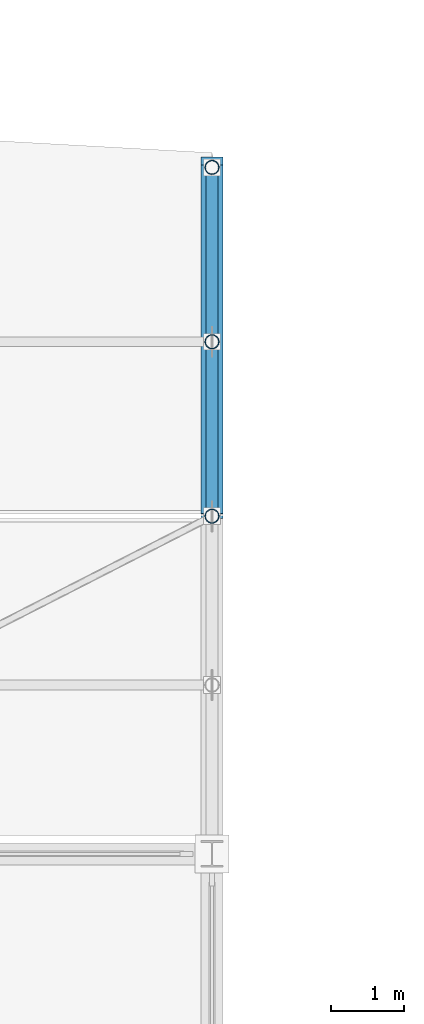
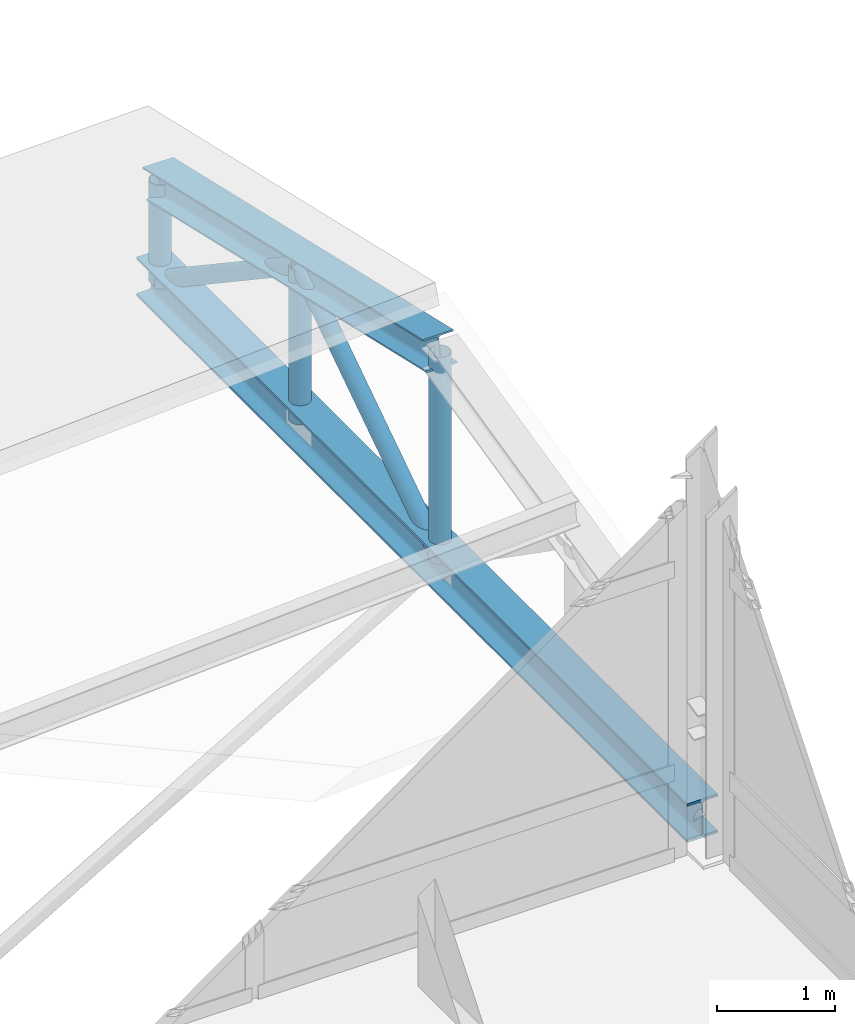
# One storey, part 23 of 55: 6 members, 1 beam.
"""IFC4 building model written with IfcOpenShell, lengths in metres."""

from ifc_helpers import new_model, si_unit, direction, frame, origin, origin_2d, place, context, subcontext, project, spatial, hollow_circle, i_section, extrude, material, material_profile, profile_set, type_object, element, save


model = new_model("IFC4")

# Units and contexts
model_context = context("Model", 3, precision=1e-05, world=origin(), true_north=direction((0.0, 1.0)))
body_context = subcontext(model_context, "Body", "Model", "MODEL_VIEW")
ifc_project = project(units=[si_unit("LENGTHUNIT", "METRE"), si_unit("AREAUNIT", "SQUARE_METRE"), si_unit("VOLUMEUNIT", "CUBIC_METRE"), si_unit("PLANEANGLEUNIT", "RADIAN"), si_unit("MASSUNIT", "GRAM", prefix="KILO")], contexts=[model_context])

# Site, building, storey
site_placement = place(None, origin())
site = spatial("IfcSite", under=ifc_project, at=site_placement, CompositionType="ELEMENT")
building_placement = place(site_placement, origin())
building = spatial("IfcBuilding", under=site, at=building_placement, Name="Bozkorgan Art Gallery", CompositionType="ELEMENT")
storey_placement = place(building_placement, frame((0.0, 0.0, 15.0)))
storey = spatial("IfcBuildingStorey", under=building, at=storey_placement, Name="L03", CompositionType="ELEMENT", Elevation=15.0)

# Beam
ifc_material = material(Name="Steel S355J2", Category="steel")
ifc_material_profile_1 = material_profile(ifc_material, i_section(OverallWidth=0.300048828125, OverallDepth=0.39990234375, WebThickness=0.013427734375, FlangeThickness=0.02392578125, FilletRadius=0.027099609375, at=origin_2d()), Name="HEB 400")
ifc_profile_set_1 = profile_set([ifc_material_profile_1], Name="Steel S355J2")
beam_type = type_object("IfcBeamType", Name="BEAM-TB-49", PredefinedType="BEAM", material=ifc_profile_set_1)
beam_placement = place(storey_placement, frame((101.0, 84.550048828125, 0.199951171875), z_axis=(0.0, 1.0, 0.0), x_axis=(-1.0, 0.0, 0.0)))
element("IfcBeam", 1, at=beam_placement, inside=storey, type_object=beam_type, Name="ROOF-V4-STEP3 roof truss 4 bottom chord", PredefinedType="BEAM", context=body_context, shape_type="SweptSolid", body=[
    extrude(i_section(OverallWidth=0.300048828125, OverallDepth=0.39990234375, WebThickness=0.013427734375, FlangeThickness=0.02392578125, FilletRadius=0.027099609375, at=origin_2d()), origin(), (0.0, 0.0, 1.0), 9.33984375),
])

# Members
ifc_material_profile_2 = material_profile(ifc_material, i_section(OverallWidth=0.300048828125, OverallDepth=0.31005859375, WebThickness=0.009033203125, FlangeThickness=0.015380859375, FilletRadius=0.027099609375, at=origin_2d()), Name="HEA 320")
ifc_profile_set_2 = profile_set([ifc_material_profile_2], Name="Steel S355J2")
member_type_1 = type_object("IfcMemberType", Name="MEMBER-TC-13", PredefinedType="CHORD", material=ifc_profile_set_2)
member_1_placement = place(storey_placement, frame((101.0, 89.0, 2.33740234375), z_axis=(0.0, 0.974367556786, -0.224961917408), x_axis=(-1.0, 0.0, 0.0)))
element("IfcMember", 2, at=member_1_placement, inside=storey, type_object=member_type_1, Name="ROOF-V4-STEP3 roof truss 4 north top chord", PredefinedType="CHORD", context=body_context, shape_type="SweptSolid", body=[
    extrude(i_section(OverallWidth=0.300048828125, OverallDepth=0.31005859375, WebThickness=0.009033203125, FlangeThickness=0.015380859375, FilletRadius=0.027099609375, at=origin_2d()), origin(), (0.0, 0.0, 1.0), 4.875),
])
ifc_material_profile_3 = material_profile(ifc_material, hollow_circle(Radius=0.096923828125, WallThickness=0.008056640625, at=origin_2d()), Name="CHS 193.7x8")
ifc_profile_set_3 = profile_set([ifc_material_profile_3], Name="Steel S355J2")
member_type_2 = type_object("IfcMemberType", Name="MEMBER-TP-46", PredefinedType="POST", material=ifc_profile_set_3)
member_2_placement = place(storey_placement, frame((101.0, 89.0, 0.199951171875), z_axis=(0.0, 0.0, 1.0), x_axis=(1.0, 0.0, 0.0)))
element("IfcMember", 3, at=member_2_placement, inside=storey, type_object=member_type_2, Name="ROOF-V4-STEP3 roof truss 4 post 2", PredefinedType="POST", context=body_context, shape_type="SweptSolid", body=[
    extrude(hollow_circle(Radius=0.096923828125, WallThickness=0.008056640625, at=origin_2d()), origin(), (0.0, 0.0, 1.0), 2.137451171875),
])
member_3_placement = place(storey_placement, frame((101.0, 91.375, 0.199951171875), z_axis=(0.0, 0.0, 1.0), x_axis=(1.0, 0.0, 0.0)))
element("IfcMember", 4, at=member_3_placement, inside=storey, type_object=member_type_2, Name="ROOF-V4-STEP3 roof truss 4 post 3", PredefinedType="POST", context=body_context, shape_type="SweptSolid", body=[
    extrude(hollow_circle(Radius=0.096923828125, WallThickness=0.008056640625, at=origin_2d()), origin(), (0.0, 0.0, 1.0), 1.589111328125),
])
member_4_placement = place(storey_placement, frame((101.0, 93.75, 0.199951171875), z_axis=(0.0, 0.0, 1.0), x_axis=(1.0, 0.0, 0.0)))
element("IfcMember", 5, at=member_4_placement, inside=storey, type_object=member_type_2, Name="ROOF-V4-STEP3 roof truss 4 post 4", PredefinedType="POST", context=body_context, shape_type="SweptSolid", body=[
    extrude(hollow_circle(Radius=0.096923828125, WallThickness=0.008056640625, at=origin_2d()), origin(), (0.0, 0.0, 1.0), 1.040771484375),
])
ifc_material_profile_4 = material_profile(ifc_material, hollow_circle(Radius=0.084228515625, WallThickness=0.008056640625, at=origin_2d()), Name="CHS 168.3x8")
ifc_profile_set_4 = profile_set([ifc_material_profile_4], Name="Steel S355J2")
member_type_3 = type_object("IfcMemberType", Name="MEMBER-TW-40", PredefinedType="BRACE", material=ifc_profile_set_4)
for number, where, z_axis, x_axis, name in (
    (6, (101.0, 89.0, 0.199951171875), (0.0, 0.831115899001, 0.556099237931), (-1.0, 0.0, 0.0), "ROOF-V4-STEP3 roof truss 4 diagonal 3"),
    (7, (101.0, 91.375, 1.7890625), (0.0, 0.831115899001, -0.556099237931), (-1.0, 0.0, 0.0), "ROOF-V4-STEP3 roof truss 4 diagonal 4"),
):
    element("IfcMember", number, at=place(storey_placement, frame(where, z_axis=z_axis, x_axis=x_axis)), inside=storey, type_object=member_type_3, Name=name, PredefinedType="BRACE", context=body_context, shape_type="SweptSolid", body=[
        extrude(hollow_circle(Radius=0.084228515625, WallThickness=0.008056640625, at=origin_2d()), origin(), (0.0, 0.0, 1.0), 2.857666015625),
    ])

save(model, "model.ifc")
